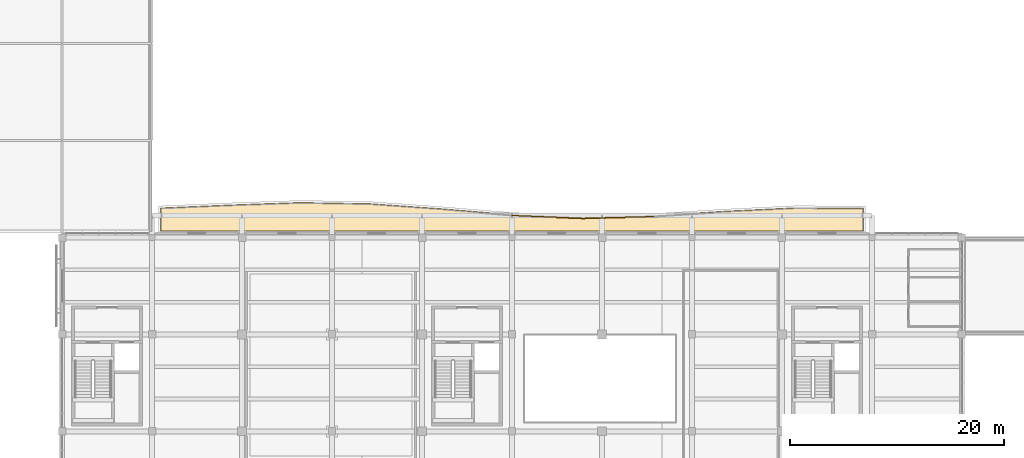
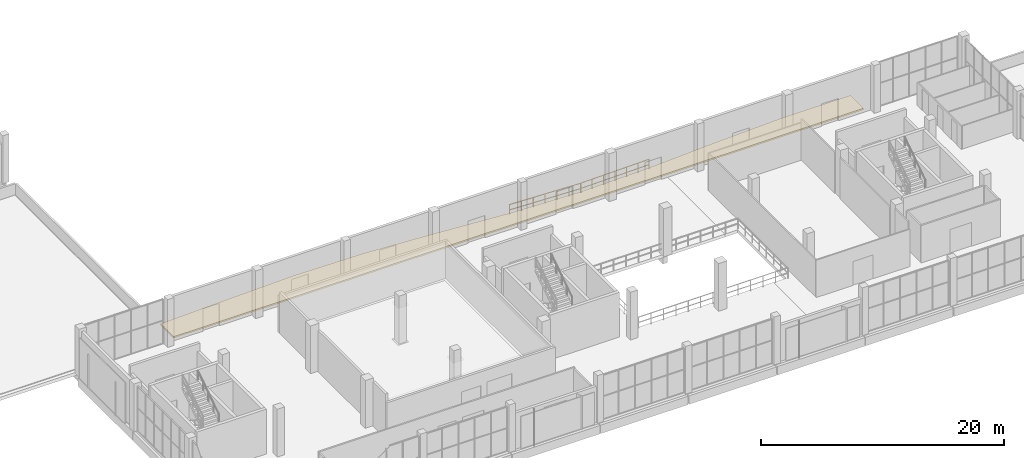
# One storey, part 72 of 80: 2 railings, 1 covering.
"""IFC4 building model written with IfcOpenShell, lengths in metres."""

from ifc_helpers import new_model, si_unit, direction, frame, origin, origin_2d, place, context, subcontext, project, spatial, polyline, circle, outline, extrude, material, layer, layer_set, type_object, element, save


model = new_model("IFC4")

# Units and contexts
model_context = context("Model", 3, precision=1e-05, world=origin(), true_north=direction((0.0, 1.0)))
body_context = subcontext(model_context, "Body", "Model", "MODEL_VIEW")
ifc_project = project(units=[si_unit("LENGTHUNIT", "METRE"), si_unit("AREAUNIT", "SQUARE_METRE"), si_unit("VOLUMEUNIT", "CUBIC_METRE"), si_unit("PLANEANGLEUNIT", "RADIAN"), si_unit("MASSUNIT", "GRAM", prefix="KILO")], contexts=[model_context])

# Site, building, storey
site_placement = place(None, origin())
site = spatial("IfcSite", under=ifc_project, at=site_placement, CompositionType="ELEMENT")
building_placement = place(site_placement, origin())
building = spatial("IfcBuilding", under=site, at=building_placement, Name="Khurvash Pelagic Aquarium", CompositionType="ELEMENT")
storey_placement = place(building_placement, frame((0.0, 0.0, 10.800048828125)))
storey = spatial("IfcBuildingStorey", under=building, at=storey_placement, Name="L02", CompositionType="ELEMENT", Elevation=10.800048828125)

# Railings
ifc_material_1 = material(Name="Laminated glass and stainless steel 316", Category="steel")
railing_type = type_object("IfcRailingType", Name="BL-01", PredefinedType="BALUSTRADE", material=ifc_material_1)
railing_1_placement = place(storey_placement, frame((67.18896484375, 31.80810546875, 0.0)))
element("IfcRailing", 1, at=railing_1_placement, inside=storey, type_object=railing_type, Name="L02 Planted Terrace Perimeter Balustrade BL-01 0022", PredefinedType="BALUSTRADE", context=body_context, shape_type="SweptSolid", body=[
    extrude(circle(Radius=0.02392578125, at=origin_2d()), frame((0.0, 0.0, 1.076171875), z_axis=(0.999194095114, -0.0401392612, 0.0), x_axis=(0.0401392612, 0.999194095114, 0.0)), (0.0, 0.0, 1.0), 6.60546875),
    extrude(circle(Radius=0.02392578125, at=origin_2d()), frame((0.0, 0.0, 0.5380859375), z_axis=(0.999194095114, -0.0401392612, 0.0), x_axis=(0.0401392612, 0.999194095114, 0.0)), (0.0, 0.0, 1.0), 6.60546875),
    extrude(circle(Radius=0.02099609375, at=origin_2d()), origin(), (0.0, 0.0, 1.0), 1.052001953125),
    extrude(circle(Radius=0.02099609375, at=origin_2d()), frame((1.10009765625, -0.044189453125, 0.0)), (0.0, 0.0, 1.0), 1.052001953125),
    extrude(circle(Radius=0.02099609375, at=origin_2d()), frame((2.199951171875, -0.08837890625, 0.0)), (0.0, 0.0, 1.0), 1.052001953125),
    extrude(circle(Radius=0.02099609375, at=origin_2d()), frame((3.300048828125, -0.132568359375, 0.0)), (0.0, 0.0, 1.0), 1.052001953125),
    extrude(circle(Radius=0.02099609375, at=origin_2d()), frame((4.400146484375, -0.1767578125, 0.0)), (0.0, 0.0, 1.0), 1.052001953125),
    extrude(circle(Radius=0.02099609375, at=origin_2d()), frame((5.5, -0.220947265625, 0.0)), (0.0, 0.0, 1.0), 1.052001953125),
    extrude(circle(Radius=0.02099609375, at=origin_2d()), frame((6.60009765625, -0.26513671875, 0.0)), (0.0, 0.0, 1.0), 1.052001953125),
])
railing_2_placement = place(storey_placement, frame((73.806884765625, 31.54296875, 0.0)))
element("IfcRailing", 2, at=railing_2_placement, inside=storey, type_object=railing_type, Name="L02 Planted Terrace Perimeter Balustrade BL-01 0023", PredefinedType="BALUSTRADE", context=body_context, shape_type="SweptSolid", body=[
    extrude(circle(Radius=0.02392578125, at=origin_2d()), frame((0.0, 0.0, 1.076171875), z_axis=(0.999687507809, 0.02499773453, 0.0), x_axis=(-0.02499773453, 0.999687507809, 0.0)), (0.0, 0.0, 1.0), 6.60205078125),
    extrude(circle(Radius=0.02392578125, at=origin_2d()), frame((0.0, 0.0, 0.5380859375), z_axis=(0.999687507809, 0.02499773453, 0.0), x_axis=(-0.02499773453, 0.999687507809, 0.0)), (0.0, 0.0, 1.0), 6.60205078125),
    extrude(circle(Radius=0.02099609375, at=origin_2d()), origin(), (0.0, 0.0, 1.0), 1.052001953125),
    extrude(circle(Radius=0.02099609375, at=origin_2d()), frame((1.10009765625, 0.027587890625, 0.0)), (0.0, 0.0, 1.0), 1.052001953125),
    extrude(circle(Radius=0.02099609375, at=origin_2d()), frame((2.199951171875, 0.054931640625, 0.0)), (0.0, 0.0, 1.0), 1.052001953125),
    extrude(circle(Radius=0.02099609375, at=origin_2d()), frame((3.300048828125, 0.08251953125, 0.0)), (0.0, 0.0, 1.0), 1.052001953125),
    extrude(circle(Radius=0.02099609375, at=origin_2d()), frame((4.400146484375, 0.110107421875, 0.0)), (0.0, 0.0, 1.0), 1.052001953125),
    extrude(circle(Radius=0.02099609375, at=origin_2d()), frame((5.5, 0.137451171875, 0.0)), (0.0, 0.0, 1.0), 1.052001953125),
    extrude(circle(Radius=0.02099609375, at=origin_2d()), frame((6.60009765625, 0.1650390625, 0.0)), (0.0, 0.0, 1.0), 1.052001953125),
])

# Covering
ifc_material_2 = material(Name="Vegetated monsoon-retention substrate and drainage mat", Category="earth")
ifc_layer = layer(ifc_material_2, 0.14990234375)
ifc_layer_set = layer_set([ifc_layer], Name="Vegetated monsoon-retention substrate and drainage mat")
covering_type = type_object("IfcCoveringType", Name="CV-RF02", PredefinedType="ROOFING", material=ifc_layer_set)
covering_placement = place(storey_placement, origin())
element("IfcCovering", 3, at=covering_placement, inside=storey, type_object=covering_type, Name="L02 Monsoon Retention Terrace Substrate TERR_L02_S", PredefinedType="ROOFING", context=body_context, shape_type="SweptSolid", body=[
    extrude(outline(polyline([(34.39990234375, 30.35009765625), (34.39990234375, 32.508056640625), (40.80810546875, 32.784912109375), (47.402099609375, 33.01708984375), (53.990966796875, 32.906005859375), (60.5849609375, 32.43603515625), (67.18310546875, 31.888916015625), (67.19189453125, 31.887939453125), (73.7919921875, 31.623046875), (73.804931640625, 31.623046875), (80.405029296875, 31.7880859375), (80.4130859375, 31.7880859375), (87.010986328125, 32.205078125), (93.60400390625, 32.52099609375), (100.0, 32.5009765625), (100.0, 30.35009765625), (34.39990234375, 30.35009765625)])), origin(), (0.0, 0.0, 1.0), 0.14990234375),
])

save(model, "model.ifc")
